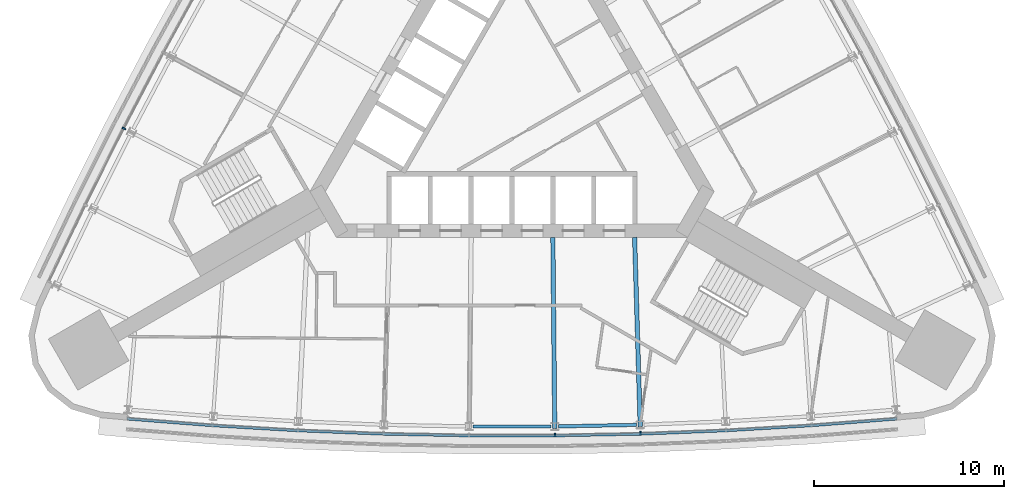
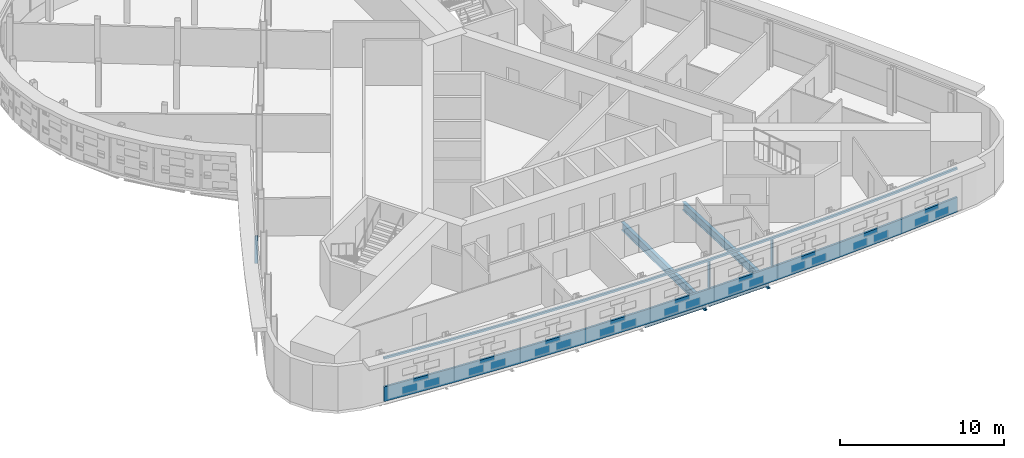
# One storey, part 5 of 17: 5 members, 4 beams, 2 elements without a shape of their own.
"""IFC4 building model written with IfcOpenShell, lengths in metres."""

from ifc_helpers import new_model, si_unit, direction, frame, origin, origin_2d, place, context, subcontext, project, spatial, polyline, rectangle, i_section, outline, extrude, material, material_profile, profile_set, type_object, element, aggregate, save


model = new_model("IFC4")

# Units and contexts
model_context = context("Model", 3, precision=1e-05, world=origin(), true_north=direction((0.0, 1.0)))
body_context = subcontext(model_context, "Body", "Model", "MODEL_VIEW")
ifc_project = project(units=[si_unit("LENGTHUNIT", "METRE"), si_unit("AREAUNIT", "SQUARE_METRE"), si_unit("VOLUMEUNIT", "CUBIC_METRE"), si_unit("PLANEANGLEUNIT", "RADIAN"), si_unit("MASSUNIT", "GRAM", prefix="KILO")], contexts=[model_context])

# Site, building, storey
site_placement = place(None, origin())
site = spatial("IfcSite", under=ifc_project, at=site_placement, CompositionType="ELEMENT")
building_placement = place(site_placement, origin())
building = spatial("IfcBuilding", under=site, at=building_placement, Name="Noor Cloister Tower", CompositionType="ELEMENT")
storey_placement = place(building_placement, frame((0.0, 0.0, 98.699951171875)))
storey = spatial("IfcBuildingStorey", under=building, at=storey_placement, Name="L25", CompositionType="ELEMENT", Elevation=98.699951171875)

# Curtain wall, member
ifc_material_1 = material(Name="Aluminium 6063-T6 anodised", Category="aluminium")
curtain_wall_type = type_object("IfcCurtainWallType", Name="Ribbon curtain wall, lower tower CW1", PredefinedType="NOTDEFINED", material=ifc_material_1)
curtain_wall_1_placement = place(storey_placement, origin())
curtain_wall_1 = element("IfcCurtainWall", 1, at=curtain_wall_1_placement, inside=storey, type_object=curtain_wall_type, Name="CW1 L25 S run 3", PredefinedType="NOTDEFINED")
ifc_material_2 = material(Name="Aluminium 6063-T6 anodised", Category="aluminium")
member_type_1 = type_object("IfcMemberType", Name="Head transom CW1 150", PredefinedType="USERDEFINED", material=ifc_material_2)
member_1_placement = place(storey_placement, frame((0.0, 0.0, 3.150146484375)))
member_1 = element("IfcMember", 2, at=member_1_placement, type_object=member_type_1, Name="CW1 head transom", ObjectType="TRANSOM", PredefinedType="USERDEFINED", context=body_context, shape_type="SweptSolid", body=[
    extrude(outline(polyline([(-20.2236328125, -16.53125), (-15.737548828125, -16.88525390625), (-11.245361328125, -17.150634765625), (-6.7490234375, -17.327880859375), (-2.25, -17.41650390625), (2.25, -17.41650390625), (6.7490234375, -17.327880859375), (11.245361328125, -17.150634765625), (15.737548828125, -16.88525390625), (20.2236328125, -16.53125), (20.21240234375, -16.3916015625), (15.72802734375, -16.74560546875), (11.238525390625, -17.010986328125), (6.744873046875, -17.18798828125), (2.24853515625, -17.2763671875), (-2.24853515625, -17.2763671875), (-6.744873046875, -17.18798828125), (-11.238525390625, -17.010986328125), (-15.72802734375, -16.74560546875), (-20.21240234375, -16.3916015625), (-20.2236328125, -16.53125)])), origin(), (0.0, 0.0, 1.0), 0.14990234375),
])

curtain_wall_2_placement = place(storey_placement, origin())
curtain_wall_2 = element("IfcCurtainWall", 3, at=curtain_wall_2_placement, inside=storey, type_object=curtain_wall_type, Name="CW1 L25 NW run 2", PredefinedType="NOTDEFINED")
ifc_material_3 = material(Name="Aluminium 6063-T6 anodised", Category="aluminium")
ifc_material_profile_1 = material_profile(ifc_material_3, rectangle(XDim=0.199951171875, YDim=0.080078125, at=origin_2d()), Name="200 x 80 mullion")
ifc_profile_set_1 = profile_set([ifc_material_profile_1], Name="Aluminium 6063-T6 anodised")
member_type_2 = type_object("IfcMemberType", Name="Mullion CW1 80 x 200", PredefinedType="MULLION", material=ifc_profile_set_1)
member_2_placement = place(storey_placement, frame((-20.38671875, -1.209228515625, 1.10009765625), z_axis=(0.0, 0.0, 1.0), x_axis=(0.889571260287, -0.456796423881, 0.0)))
member_2 = element("IfcMember", 4, at=member_2_placement, type_object=member_type_2, Name="CW1 mullion 3", PredefinedType="MULLION", context=body_context, shape_type="SweptSolid", body=[
    extrude(rectangle(XDim=0.199951171875, YDim=0.080078125, at=origin_2d()), origin(), (0.0, 0.0, 1.0), 2.050048828125),
])
aggregate(curtain_wall_2, [member_2])

# Member
member_3_placement = place(storey_placement, frame((2.2490234375, -17.31640625, 1.10009765625), z_axis=(0.0, 0.0, 1.0), x_axis=(-0.009841473527, 0.999951571527, 0.0)))
member_3 = element("IfcMember", 5, at=member_3_placement, type_object=member_type_2, Name="CW1 mullion 6", PredefinedType="MULLION", context=body_context, shape_type="SweptSolid", body=[
    extrude(rectangle(XDim=0.199951171875, YDim=0.080078125, at=origin_2d()), origin(), (0.0, 0.0, 1.0), 2.050048828125),
])

member_4_placement = place(storey_placement, frame((6.74609375, -17.227783203125, 1.10009765625), z_axis=(0.0, 0.0, 1.0), x_axis=(-0.029520625259, 0.999564171369, 0.0)))
member_4 = element("IfcMember", 6, at=member_4_placement, type_object=member_type_2, Name="CW1 mullion 7", PredefinedType="MULLION", context=body_context, shape_type="SweptSolid", body=[
    extrude(rectangle(XDim=0.199951171875, YDim=0.080078125, at=origin_2d()), origin(), (0.0, 0.0, 1.0), 2.050048828125),
])

# Beams
ifc_material_4 = material(Name="Steel ASTM A992 Gr 50", Category="steel")
ifc_material_profile_2 = material_profile(ifc_material_4, i_section(OverallWidth=0.22802734375, OverallDepth=0.60205078125, WebThickness=0.010498046875, FlangeThickness=0.014892578125, FilletRadius=0.0126953125, at=origin_2d()), Name="W610x101")
ifc_profile_set_2 = profile_set([ifc_material_profile_2], Name="Steel ASTM A992 Gr 50")
beam_type_1 = type_object("IfcBeamType", Name="Radial beam W610x101", PredefinedType="BEAM", material=ifc_profile_set_2)
beam_1_placement = place(storey_placement, frame((2.24560546875, -16.967041015625, -0.5009765625), z_axis=(-0.009848983597, 0.999951497585, 0.0), x_axis=(-0.999951497585, -0.009848983597, 0.0)))
element("IfcBeam", 7, at=beam_1_placement, inside=storey, type_object=beam_type_1, Name="Radial beam S 06 L25", PredefinedType="BEAM", context=body_context, shape_type="SweptSolid", body=[
    extrude(i_section(OverallWidth=0.22802734375, OverallDepth=0.60205078125, WebThickness=0.010498046875, FlangeThickness=0.014892578125, FilletRadius=0.0126953125, at=origin_2d()), origin(), (0.0, 0.0, 1.0), 10.039306640625),
])
beam_2_placement = place(storey_placement, frame((6.73583984375, -16.878662109375, -0.5009765625), z_axis=(-0.029528056482, 0.999563951871, 0.0), x_axis=(-0.999563951871, -0.029528056482, 0.0)))
element("IfcBeam", 8, at=beam_2_placement, inside=storey, type_object=beam_type_1, Name="Radial beam S 07 L25", PredefinedType="BEAM", context=body_context, shape_type="SweptSolid", body=[
    extrude(i_section(OverallWidth=0.22802734375, OverallDepth=0.60205078125, WebThickness=0.010498046875, FlangeThickness=0.014892578125, FilletRadius=0.0126953125, at=origin_2d()), origin(), (0.0, 0.0, 1.0), 9.954833984375),
])

# Member
ifc_material_5 = material(Name="Aluminium 6063-T6 anodised", Category="aluminium")
member_type_3 = type_object("IfcMemberType", Name="Sill transom CW1 1100", PredefinedType="USERDEFINED", material=ifc_material_5)
member_5_placement = place(storey_placement, origin())
member_5 = element("IfcMember", 9, at=member_5_placement, type_object=member_type_3, Name="CW1 sill transom", ObjectType="TRANSOM", PredefinedType="USERDEFINED", context=body_context, shape_type="SweptSolid", body=[
    extrude(outline(polyline([(-20.2236328125, -16.53125), (-15.737548828125, -16.88525390625), (-11.245361328125, -17.150634765625), (-6.7490234375, -17.327880859375), (-2.25, -17.41650390625), (2.25, -17.41650390625), (6.7490234375, -17.327880859375), (11.245361328125, -17.150634765625), (15.737548828125, -16.88525390625), (20.2236328125, -16.53125), (20.21240234375, -16.3916015625), (15.72802734375, -16.74560546875), (11.238525390625, -17.010986328125), (6.744873046875, -17.18798828125), (2.24853515625, -17.2763671875), (-2.24853515625, -17.2763671875), (-6.744873046875, -17.18798828125), (-11.238525390625, -17.010986328125), (-15.72802734375, -16.74560546875), (-20.21240234375, -16.3916015625), (-20.2236328125, -16.53125)])), origin(), (0.0, 0.0, 1.0), 1.10009765625),
])

aggregate(curtain_wall_1, [member_3, member_4, member_5, member_1])

# Beams
ifc_material_6 = material(Name="Steel ASTM A992 Gr 50", Category="steel")
ifc_material_profile_3 = material_profile(ifc_material_6, i_section(OverallWidth=0.177978515625, OverallDepth=0.406005859375, WebThickness=0.0078125, FlangeThickness=0.0126953125, FilletRadius=0.01025390625, at=origin_2d()), Name="W410x60")
ifc_profile_set_3 = profile_set([ifc_material_profile_3], Name="Steel ASTM A992 Gr 50")
beam_type_2 = type_object("IfcBeamType", Name="Spandrel beam W410x60", PredefinedType="SPANDREL", material=ifc_profile_set_3)
for number, where, z_axis, x_axis, name in (
    (10, (-2.0439453125, -16.866455078125, -0.40283203125), (1.0, 0.0, 0.0), (0.0, 1.0, 0.0), "Spandrel beam S 05 L25"),
    (11, (2.445068359375, -16.862548828125, -0.40283203125), (0.999805773471, 0.019708255495, 0.0), (-0.019708255495, 0.999805773471, 0.0), "Spandrel beam S 06 L25"),
):
    element("IfcBeam", number, at=place(storey_placement, frame(where, z_axis=z_axis, x_axis=x_axis)), inside=storey, type_object=beam_type_2, Name=name, PredefinedType="SPANDREL", context=body_context, shape_type="SweptSolid", body=[
        extrude(i_section(OverallWidth=0.177978515625, OverallDepth=0.406005859375, WebThickness=0.0078125, FlangeThickness=0.0126953125, FilletRadius=0.01025390625, at=origin_2d()), origin(), (0.0, 0.0, 1.0), 4.087890625),
    ])

save(model, "model.ifc")
